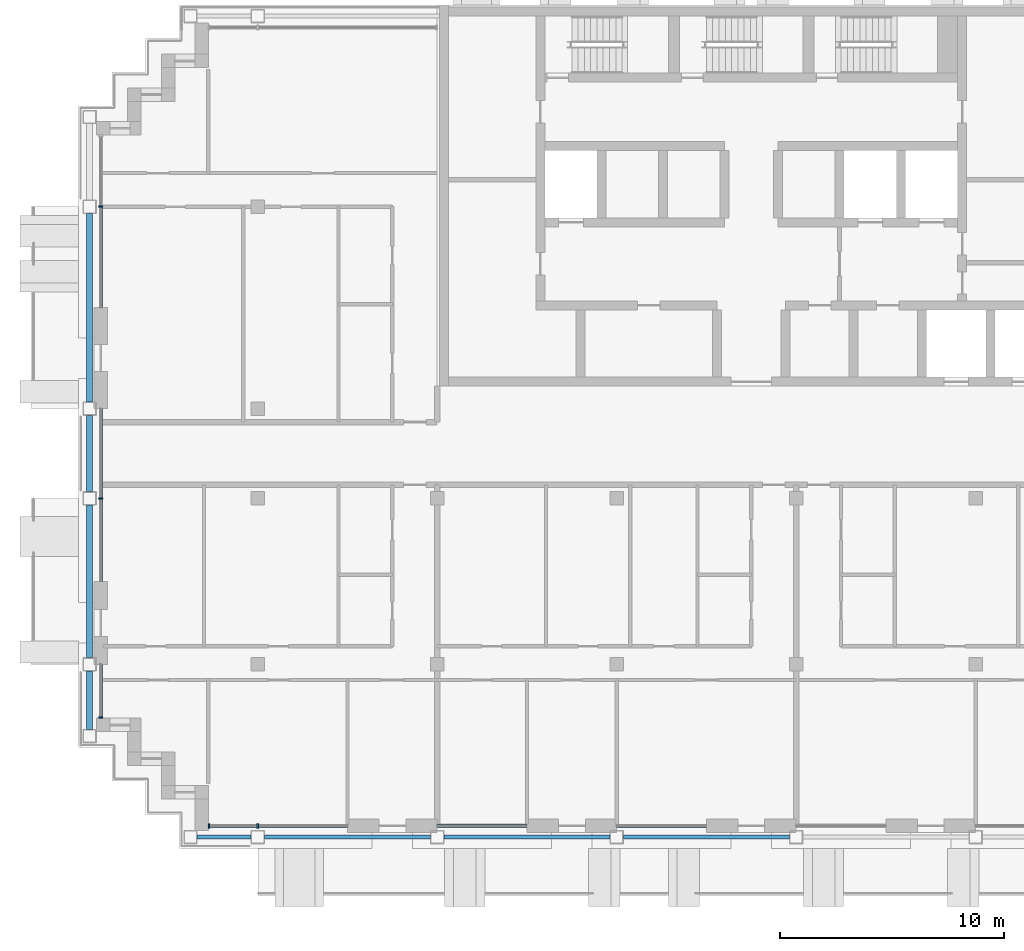
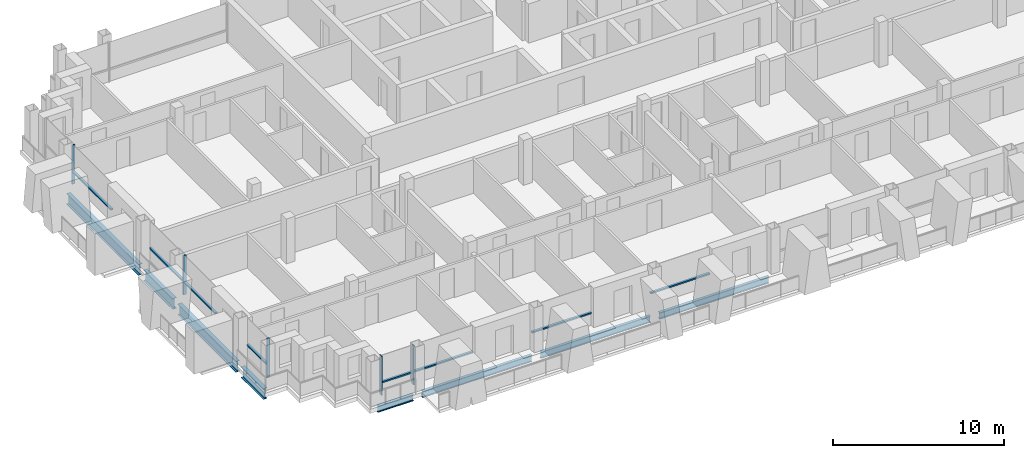
# One storey, part 2 of 15: 13 members, 8 beams, 6 elements without a shape of their own.
"""IFC4 building model written with IfcOpenShell, lengths in metres."""

from ifc_helpers import new_model, si_unit, direction, frame, origin, origin_2d, place, context, subcontext, project, spatial, rectangle, i_section, extrude, material, material_profile, profile_set, type_object, element, aggregate, save


model = new_model("IFC4")

# Units and contexts
model_context = context("Model", 3, precision=1e-05, world=origin(), true_north=direction((0.0, 1.0)))
body_context = subcontext(model_context, "Body", "Model", "MODEL_VIEW")
ifc_project = project(units=[si_unit("LENGTHUNIT", "METRE"), si_unit("AREAUNIT", "SQUARE_METRE"), si_unit("VOLUMEUNIT", "CUBIC_METRE"), si_unit("PLANEANGLEUNIT", "RADIAN"), si_unit("MASSUNIT", "GRAM", prefix="KILO")], contexts=[model_context])

# Site, building, storey
site_placement = place(None, origin())
site = spatial("IfcSite", under=ifc_project, at=site_placement, CompositionType="ELEMENT")
building_placement = place(site_placement, origin())
building = spatial("IfcBuilding", under=site, at=building_placement, Name="Vidyagriha Tower", CompositionType="ELEMENT")
storey_placement = place(building_placement, frame((0.0, 0.0, 236.39990234375)))
storey = spatial("IfcBuildingStorey", under=building, at=storey_placement, Name="L62", CompositionType="ELEMENT", Elevation=236.39990234375)

# Beams
ifc_material_1 = material(Name="Steel ASTM A992 Grade 50", Category="steel")
ifc_material_profile_1 = material_profile(ifc_material_1, i_section(OverallWidth=0.2666015625, OverallDepth=0.76953125, WebThickness=0.015625, FlangeThickness=0.025390625, at=origin_2d()), Name="W30X132")
ifc_profile_set_1 = profile_set([ifc_material_profile_1], Name="Steel ASTM A992 Grade 50")
beam_type_1 = type_object("IfcBeamType", Name="Cantilever edge beam W30X132", PredefinedType="SPANDREL", material=ifc_profile_set_1)
beam_1_placement = place(storey_placement, frame((-29.5, -12.300048828125, -0.664794921875), z_axis=(0.0, 1.0, 0.0), x_axis=(-1.0, 0.0, 0.0)))
element("IfcBeam", 1, at=beam_1_placement, inside=storey, type_object=beam_type_1, Name="st-beam-L62-W08", PredefinedType="SPANDREL", context=body_context, shape_type="SweptSolid", body=[
    extrude(i_section(OverallWidth=0.2666015625, OverallDepth=0.76953125, WebThickness=0.015625, FlangeThickness=0.025390625, at=origin_2d()), origin(), (0.0, 0.0, 1.0), 2.60009765625),
])
beam_2_placement = place(storey_placement, frame((-29.5, -9.10009765625, -0.664794921875), z_axis=(0.0, 1.0, 0.0), x_axis=(-1.0, 0.0, 0.0)))
element("IfcBeam", 2, at=beam_2_placement, inside=storey, type_object=beam_type_1, Name="st-beam-L62-W09", PredefinedType="SPANDREL", context=body_context, shape_type="SweptSolid", body=[
    extrude(i_section(OverallWidth=0.2666015625, OverallDepth=0.76953125, WebThickness=0.015625, FlangeThickness=0.025390625, at=origin_2d()), origin(), (0.0, 0.0, 1.0), 6.800048828125),
])
beam_3_placement = place(storey_placement, frame((-29.5, -1.699951171875, -0.664794921875), z_axis=(0.0, 1.0, 0.0), x_axis=(-1.0, 0.0, 0.0)))
element("IfcBeam", 3, at=beam_3_placement, inside=storey, type_object=beam_type_1, Name="st-beam-L62-W10", PredefinedType="SPANDREL", context=body_context, shape_type="SweptSolid", body=[
    extrude(i_section(OverallWidth=0.2666015625, OverallDepth=0.76953125, WebThickness=0.015625, FlangeThickness=0.025390625, at=origin_2d()), origin(), (0.0, 0.0, 1.0), 3.39990234375),
])
beam_4_placement = place(storey_placement, frame((-29.5, 2.300048828125, -0.664794921875), z_axis=(0.0, 1.0, 0.0), x_axis=(-1.0, 0.0, 0.0)))
element("IfcBeam", 4, at=beam_4_placement, inside=storey, type_object=beam_type_1, Name="st-beam-L62-W11", PredefinedType="SPANDREL", context=body_context, shape_type="SweptSolid", body=[
    extrude(i_section(OverallWidth=0.2666015625, OverallDepth=0.76953125, WebThickness=0.015625, FlangeThickness=0.025390625, at=origin_2d()), origin(), (0.0, 0.0, 1.0), 8.39990234375),
])
ifc_material_2 = material(Name="Steel ASTM A992 Grade 50", Category="steel")
ifc_material_profile_2 = material_profile(ifc_material_2, i_section(OverallWidth=0.19189453125, OverallDepth=0.46240234375, WebThickness=0.010498046875, FlangeThickness=0.017578125, at=origin_2d()), Name="W18X60")
ifc_profile_set_2 = profile_set([ifc_material_profile_2], Name="Steel ASTM A992 Grade 50")
beam_type_2 = type_object("IfcBeamType", Name="Edge beam W18X60", PredefinedType="SPANDREL", material=ifc_profile_set_2)
beam_5_placement = place(storey_placement, frame((-24.699951171875, -17.10009765625, -0.510986328125), z_axis=(1.0, 0.0, 0.0), x_axis=(0.0, 1.0, 0.0)))
element("IfcBeam", 5, at=beam_5_placement, inside=storey, type_object=beam_type_2, Name="st-beam-L62-S01", PredefinedType="SPANDREL", context=body_context, shape_type="SweptSolid", body=[
    extrude(i_section(OverallWidth=0.19189453125, OverallDepth=0.46240234375, WebThickness=0.010498046875, FlangeThickness=0.017578125, at=origin_2d()), origin(), (0.0, 0.0, 1.0), 2.39990234375),
])
for number, where, z_axis, x_axis, name in (
    (6, (-21.699951171875, -17.10009765625, -0.510986328125), (1.0, 0.0, 0.0), (0.0, 1.0, 0.0), "st-beam-L62-S02"),
    (7, (-13.699951171875, -17.10009765625, -0.510986328125), (1.0, 0.0, 0.0), (0.0, 1.0, 0.0), "st-beam-L62-S03"),
    (8, (-5.699951171875, -17.10009765625, -0.510986328125), (1.0, 0.0, 0.0), (0.0, 1.0, 0.0), "st-beam-L62-S04"),
):
    element("IfcBeam", number, at=place(storey_placement, frame(where, z_axis=z_axis, x_axis=x_axis)), inside=storey, type_object=beam_type_2, Name=name, PredefinedType="SPANDREL", context=body_context, shape_type="SweptSolid", body=[
        extrude(i_section(OverallWidth=0.19189453125, OverallDepth=0.46240234375, WebThickness=0.010498046875, FlangeThickness=0.017578125, at=origin_2d()), origin(), (0.0, 0.0, 1.0), 7.39990234375),
    ])

# Curtain wall, member
ifc_material_3 = material(Name="Aluminium and glass curtain wall", Category="aluminium")
curtain_wall_type = type_object("IfcCurtainWallType", Name="Dwelling skin unitised curtain wall", PredefinedType="USERDEFINED", material=ifc_material_3)
curtain_wall_1_placement = place(storey_placement, origin())
curtain_wall_1 = element("IfcCurtainWall", 9, at=curtain_wall_1_placement, inside=storey, type_object=curtain_wall_type, Name="CW1 dwelling skin", ObjectType="UNITISED", PredefinedType="USERDEFINED")
ifc_material_4 = material(Name="Aluminium black anodised", Category="aluminium")
ifc_material_profile_3 = material_profile(ifc_material_4, rectangle(XDim=0.199951171875, YDim=0.070068359375, at=origin_2d()), Name="Mullion 70x200 black aluminium")
ifc_profile_set_3 = profile_set([ifc_material_profile_3], Name="Aluminium black anodised")
member_type_1 = type_object("IfcMemberType", Name="Mullion 70x200 black aluminium", PredefinedType="MULLION", material=ifc_profile_set_3)
member_1_placement = place(storey_placement, frame((-29.0, 11.0, 0.0)))
member_1 = element("IfcMember", 10, at=member_1_placement, type_object=member_type_1, Name="CW1 mullion 2", PredefinedType="MULLION", context=body_context, shape_type="SweptSolid", body=[
    extrude(rectangle(XDim=0.199951171875, YDim=0.070068359375, at=origin_2d()), origin(), (0.0, 0.0, 1.0), 2.800048828125),
])

curtain_wall_2_placement = place(storey_placement, origin())
curtain_wall_2 = element("IfcCurtainWall", 11, at=curtain_wall_2_placement, inside=storey, type_object=curtain_wall_type, Name="CW1 dwelling skin", ObjectType="UNITISED", PredefinedType="USERDEFINED")
member_2_placement = place(storey_placement, frame((-29.0, -2.0, 0.0)))
member_2 = element("IfcMember", 12, at=member_2_placement, type_object=member_type_1, Name="CW1 mullion 2", PredefinedType="MULLION", context=body_context, shape_type="SweptSolid", body=[
    extrude(rectangle(XDim=0.199951171875, YDim=0.070068359375, at=origin_2d()), origin(), (0.0, 0.0, 1.0), 2.800048828125),
])

curtain_wall_3_placement = place(storey_placement, origin())
curtain_wall_3 = element("IfcCurtainWall", 13, at=curtain_wall_3_placement, inside=storey, type_object=curtain_wall_type, Name="CW1 dwelling skin", ObjectType="UNITISED", PredefinedType="USERDEFINED")
member_3_placement = place(storey_placement, frame((-29.0, -11.764892578125, 0.0)))
member_3 = element("IfcMember", 14, at=member_3_placement, type_object=member_type_1, Name="CW1 mullion 2", PredefinedType="MULLION", context=body_context, shape_type="SweptSolid", body=[
    extrude(rectangle(XDim=0.199951171875, YDim=0.070068359375, at=origin_2d()), origin(), (0.0, 0.0, 1.0), 2.800048828125),
])

# Curtain wall, members
curtain_wall_4_placement = place(storey_placement, origin())
curtain_wall_4 = element("IfcCurtainWall", 15, at=curtain_wall_4_placement, inside=storey, type_object=curtain_wall_type, Name="CW1 dwelling skin", ObjectType="UNITISED", PredefinedType="USERDEFINED")
member_4_placement = place(storey_placement, frame((-24.1650390625, -16.60009765625, 0.0), z_axis=(0.0, 0.0, 1.0), x_axis=(0.0, 1.0, 0.0)))
member_4 = element("IfcMember", 16, at=member_4_placement, type_object=member_type_1, Name="CW1 mullion 1", PredefinedType="MULLION", context=body_context, shape_type="SweptSolid", body=[
    extrude(rectangle(XDim=0.199951171875, YDim=0.070068359375, at=origin_2d()), origin(), (0.0, 0.0, 1.0), 2.800048828125),
])
member_5_placement = place(storey_placement, frame((-22.0, -16.60009765625, 0.0), z_axis=(0.0, 0.0, 1.0), x_axis=(0.0, 1.0, 0.0)))
member_5 = element("IfcMember", 17, at=member_5_placement, type_object=member_type_1, Name="CW1 mullion 2", PredefinedType="MULLION", context=body_context, shape_type="SweptSolid", body=[
    extrude(rectangle(XDim=0.199951171875, YDim=0.070068359375, at=origin_2d()), origin(), (0.0, 0.0, 1.0), 2.800048828125),
])

# Member
ifc_material_5 = material(Name="Aluminium black anodised", Category="aluminium")
ifc_material_profile_4 = material_profile(ifc_material_5, rectangle(XDim=0.159912109375, YDim=0.10009765625, at=origin_2d()), Name="Transom 100x160 black aluminium")
ifc_profile_set_4 = profile_set([ifc_material_profile_4], Name="Aluminium black anodised")
member_type_2 = type_object("IfcMemberType", Name="Transom 100x160 black aluminium", PredefinedType="USERDEFINED", material=ifc_profile_set_4)
member_6_placement = place(storey_placement, frame((-29.0, 10.965087890625, 0.900146484375), z_axis=(0.0, -1.0, 0.0), x_axis=(1.0, 0.0, 0.0)))
member_6 = element("IfcMember", 18, at=member_6_placement, type_object=member_type_2, Name="CW1 transom 2.1", ObjectType="TRANSOM", PredefinedType="USERDEFINED", context=body_context, shape_type="SweptSolid", body=[
    extrude(rectangle(XDim=0.159912109375, YDim=0.10009765625, at=origin_2d()), origin(), (0.0, 0.0, 1.0), 4.465087890625),
])

aggregate(curtain_wall_1, [member_1, member_6])

member_7_placement = place(storey_placement, frame((-29.0, 2.0, 0.900146484375), z_axis=(0.0, -1.0, 0.0), x_axis=(1.0, 0.0, 0.0)))
member_7 = element("IfcMember", 19, at=member_7_placement, type_object=member_type_2, Name="CW1 transom 1.1", ObjectType="TRANSOM", PredefinedType="USERDEFINED", context=body_context, shape_type="SweptSolid", body=[
    extrude(rectangle(XDim=0.159912109375, YDim=0.10009765625, at=origin_2d()), origin(), (0.0, 0.0, 1.0), 3.965087890625),
])

member_8_placement = place(storey_placement, frame((-29.0, -2.034912109375, 0.900146484375), z_axis=(0.0, -1.0, 0.0), x_axis=(1.0, 0.0, 0.0)))
member_8 = element("IfcMember", 20, at=member_8_placement, type_object=member_type_2, Name="CW1 transom 2.1", ObjectType="TRANSOM", PredefinedType="USERDEFINED", context=body_context, shape_type="SweptSolid", body=[
    extrude(rectangle(XDim=0.159912109375, YDim=0.10009765625, at=origin_2d()), origin(), (0.0, 0.0, 1.0), 3.6650390625),
])

aggregate(curtain_wall_2, [member_2, member_7, member_8])

member_9_placement = place(storey_placement, frame((-29.0, -9.39990234375, 0.900146484375), z_axis=(0.0, -1.0, 0.0), x_axis=(1.0, 0.0, 0.0)))
member_9 = element("IfcMember", 21, at=member_9_placement, type_object=member_type_2, Name="CW1 transom 1.1", ObjectType="TRANSOM", PredefinedType="USERDEFINED", context=body_context, shape_type="SweptSolid", body=[
    extrude(rectangle(XDim=0.159912109375, YDim=0.10009765625, at=origin_2d()), origin(), (0.0, 0.0, 1.0), 2.330078125),
])

aggregate(curtain_wall_3, [member_3, member_9])

member_10_placement = place(storey_placement, frame((-24.1298828125, -16.60009765625, 0.900146484375), z_axis=(1.0, 0.0, 0.0), x_axis=(0.0, 1.0, 0.0)))
member_10 = element("IfcMember", 22, at=member_10_placement, type_object=member_type_2, Name="CW1 transom 1.1", ObjectType="TRANSOM", PredefinedType="USERDEFINED", context=body_context, shape_type="SweptSolid", body=[
    extrude(rectangle(XDim=0.159912109375, YDim=0.10009765625, at=origin_2d()), origin(), (0.0, 0.0, 1.0), 2.094970703125),
])

member_11_placement = place(storey_placement, frame((-21.965087890625, -16.60009765625, 0.900146484375), z_axis=(1.0, 0.0, 0.0), x_axis=(0.0, 1.0, 0.0)))
member_11 = element("IfcMember", 23, at=member_11_placement, type_object=member_type_2, Name="CW1 transom 2.1", ObjectType="TRANSOM", PredefinedType="USERDEFINED", context=body_context, shape_type="SweptSolid", body=[
    extrude(rectangle(XDim=0.159912109375, YDim=0.10009765625, at=origin_2d()), origin(), (0.0, 0.0, 1.0), 3.965087890625),
])

aggregate(curtain_wall_4, [member_4, member_5, member_10, member_11])

# Curtain wall, member
curtain_wall_5_placement = place(storey_placement, origin())
curtain_wall_5 = element("IfcCurtainWall", 24, at=curtain_wall_5_placement, inside=storey, type_object=curtain_wall_type, Name="CW1 dwelling skin", ObjectType="UNITISED", PredefinedType="USERDEFINED")
member_12_placement = place(storey_placement, frame((-14.0, -16.60009765625, 0.900146484375), z_axis=(1.0, 0.0, 0.0), x_axis=(0.0, 1.0, 0.0)))
member_12 = element("IfcMember", 25, at=member_12_placement, type_object=member_type_2, Name="CW1 transom 1.1", ObjectType="TRANSOM", PredefinedType="USERDEFINED", context=body_context, shape_type="SweptSolid", body=[
    extrude(rectangle(XDim=0.159912109375, YDim=0.10009765625, at=origin_2d()), origin(), (0.0, 0.0, 1.0), 4.0),
])
aggregate(curtain_wall_5, [member_12])

curtain_wall_6_placement = place(storey_placement, origin())
curtain_wall_6 = element("IfcCurtainWall", 26, at=curtain_wall_6_placement, inside=storey, type_object=curtain_wall_type, Name="CW1 dwelling skin", ObjectType="UNITISED", PredefinedType="USERDEFINED")
member_13_placement = place(storey_placement, frame((-6.0, -16.60009765625, 0.900146484375), z_axis=(1.0, 0.0, 0.0), x_axis=(0.0, 1.0, 0.0)))
member_13 = element("IfcMember", 27, at=member_13_placement, type_object=member_type_2, Name="CW1 transom 1.1", ObjectType="TRANSOM", PredefinedType="USERDEFINED", context=body_context, shape_type="SweptSolid", body=[
    extrude(rectangle(XDim=0.159912109375, YDim=0.10009765625, at=origin_2d()), origin(), (0.0, 0.0, 1.0), 4.0),
])
aggregate(curtain_wall_6, [member_13])

save(model, "model.ifc")
